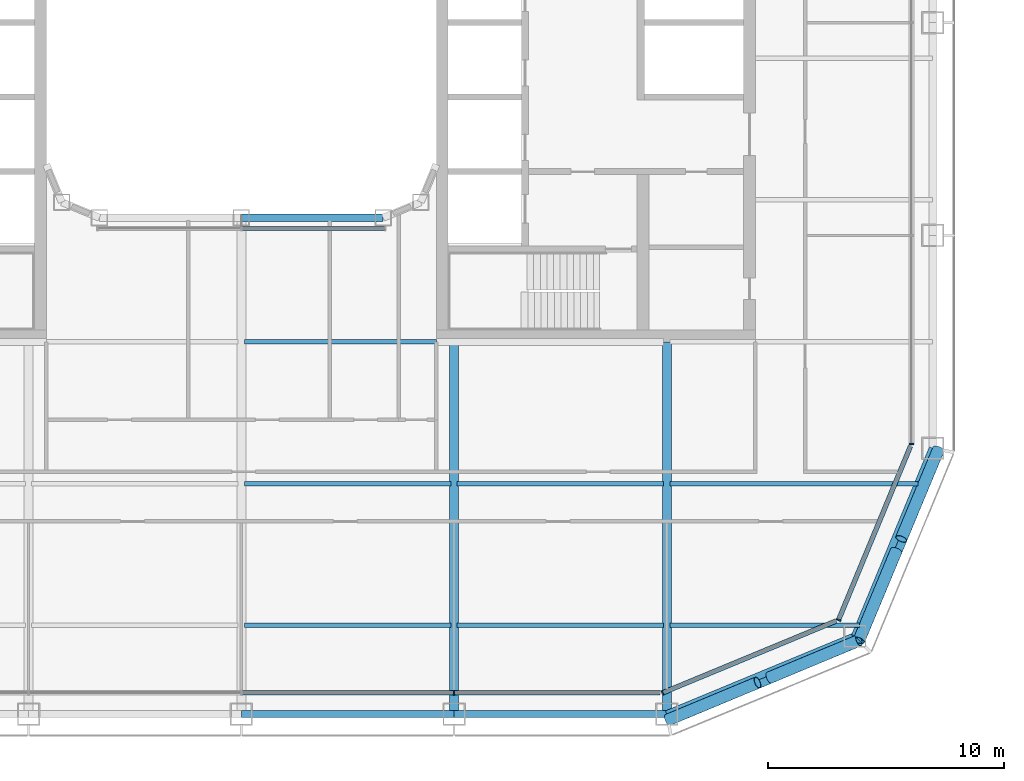
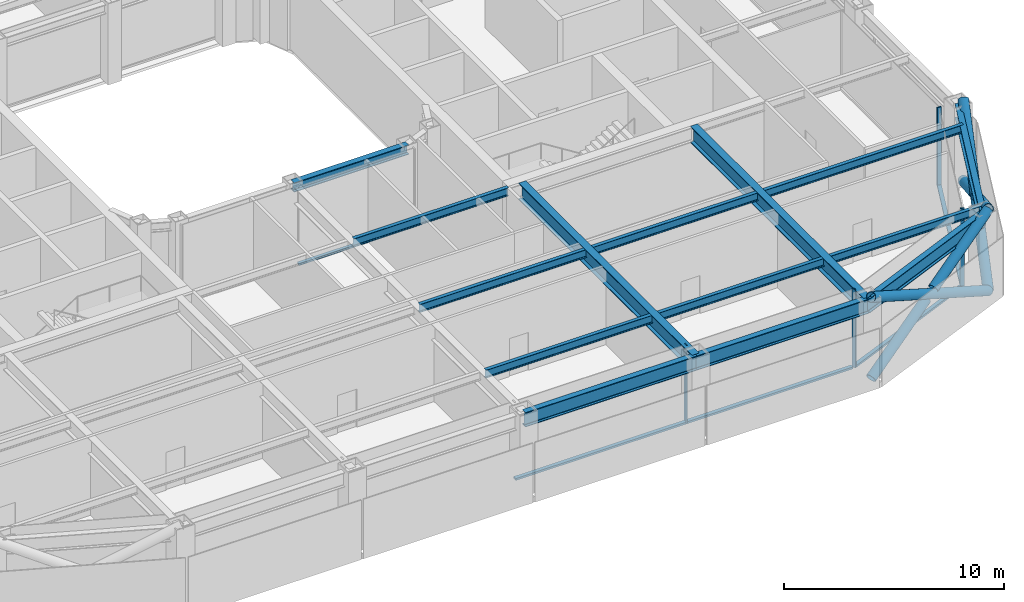
# One storey, part 4 of 23: 15 members, 14 beams, 5 elements without a shape of their own.
"""IFC4 building model written with IfcOpenShell, lengths in metres."""

from ifc_helpers import new_model, si_unit, direction, frame, origin, origin_2d, place, context, subcontext, project, spatial, rectangle, hollow_circle, i_section, extrude, material, layer, layer_set, material_profile, profile_set, type_object, element, aggregate, save


model = new_model("IFC4")

# Units and contexts
model_context = context("Model", 3, precision=1e-05, world=origin(), true_north=direction((0.0, 1.0)))
body_context = subcontext(model_context, "Body", "Model", "MODEL_VIEW")
ifc_project = project(units=[si_unit("LENGTHUNIT", "METRE"), si_unit("AREAUNIT", "SQUARE_METRE"), si_unit("VOLUMEUNIT", "CUBIC_METRE"), si_unit("PLANEANGLEUNIT", "RADIAN"), si_unit("MASSUNIT", "GRAM", prefix="KILO")], contexts=[model_context])

# Site, building, storey
site_placement = place(None, origin())
site = spatial("IfcSite", under=ifc_project, at=site_placement, CompositionType="ELEMENT")
building_placement = place(site_placement, origin())
building = spatial("IfcBuilding", under=site, at=building_placement, Name="Siwar Civic Tower", CompositionType="ELEMENT")
storey_placement = place(building_placement, frame((0.0, 0.0, 131.699951171875)))
storey = spatial("IfcBuildingStorey", under=building, at=storey_placement, Name="L28", CompositionType="ELEMENT", Elevation=131.699951171875)

# Curtain wall, member
ifc_material_1 = material(Name="Aluminium and glass", Category="aluminium")
ifc_layer_1 = layer(ifc_material_1, 0.199951171875)
ifc_layer_set_1 = layer_set([ifc_layer_1], Name="Aluminium and glass")
curtain_wall_type_1 = type_object("IfcCurtainWallType", Name="ENV-CW-B", PredefinedType="NOTDEFINED", material=ifc_layer_set_1)
curtain_wall_1_placement = place(storey_placement, origin())
curtain_wall_1 = element("IfcCurtainWall", 1, at=curtain_wall_1_placement, inside=storey, type_object=curtain_wall_type_1, Name="Curtain wall B S", PredefinedType="NOTDEFINED")
ifc_material_2 = material(Name="Aluminium 6063-T6", Category="aluminium")
ifc_material_profile_1 = material_profile(ifc_material_2, rectangle(XDim=0.199951171875, YDim=0.06494140625, at=origin_2d()), Name="AL 200x65")
ifc_profile_set_1 = profile_set([ifc_material_profile_1], Name="Aluminium 6063-T6")
member_type_1 = type_object("IfcMemberType", Name="ENV-MULLION-B", PredefinedType="MULLION", material=ifc_profile_set_1)
member_1_placement = place(storey_placement, frame((9.0, -28.35009765625, 0.0), z_axis=(0.0, 0.0, 1.0), x_axis=(0.0, 1.0, 0.0)))
member_1 = element("IfcMember", 2, at=member_1_placement, type_object=member_type_1, Name="Mullion B S 4", PredefinedType="MULLION", context=body_context, shape_type="SweptSolid", body=[
    extrude(rectangle(XDim=0.199951171875, YDim=0.06494140625, at=origin_2d()), origin(), (0.0, 0.0, 1.0), 4.35009765625),
])

ifc_material_3 = material(Name="Aluminium clad insulated panel", Category="aluminium")
ifc_layer_2 = layer(ifc_material_3, 0.199951171875)
ifc_layer_set_2 = layer_set([ifc_layer_2], Name="Aluminium clad insulated panel")
curtain_wall_type_2 = type_object("IfcCurtainWallType", Name="ENV-CW-BX", PredefinedType="NOTDEFINED", material=ifc_layer_set_2)
curtain_wall_2_placement = place(storey_placement, origin())
curtain_wall_2 = element("IfcCurtainWall", 3, at=curtain_wall_2_placement, inside=storey, type_object=curtain_wall_type_2, Name="Curtain wall B SE1", PredefinedType="NOTDEFINED")
member_2_placement = place(storey_placement, frame((17.821044921875, -28.35009765625, 0.0), z_axis=(0.0, 0.0, 1.0), x_axis=(-0.382683432365, 0.923879532511, 0.0)))
member_2 = element("IfcMember", 4, at=member_2_placement, type_object=member_type_1, Name="Mullion B SE1 1", PredefinedType="MULLION", context=body_context, shape_type="SweptSolid", body=[
    extrude(rectangle(XDim=0.199951171875, YDim=0.06494140625, at=origin_2d()), origin(), (0.0, 0.0, 1.0), 4.35009765625),
])

curtain_wall_3_placement = place(storey_placement, origin())
curtain_wall_3 = element("IfcCurtainWall", 5, at=curtain_wall_3_placement, inside=storey, type_object=curtain_wall_type_2, Name="Curtain wall B SE2", PredefinedType="NOTDEFINED")
member_3_placement = place(storey_placement, frame((25.26611328125, -25.26611328125, 0.0), z_axis=(0.0, 0.0, 1.0), x_axis=(-0.923879532511, 0.382683432365, 0.0)))
member_3 = element("IfcMember", 6, at=member_3_placement, type_object=member_type_1, Name="Mullion B SE2 1", PredefinedType="MULLION", context=body_context, shape_type="SweptSolid", body=[
    extrude(rectangle(XDim=0.199951171875, YDim=0.06494140625, at=origin_2d()), origin(), (0.0, 0.0, 1.0), 4.35009765625),
])

curtain_wall_4_placement = place(storey_placement, origin())
curtain_wall_4 = element("IfcCurtainWall", 7, at=curtain_wall_4_placement, inside=storey, type_object=curtain_wall_type_1, Name="Curtain wall B E", PredefinedType="NOTDEFINED")
member_4_placement = place(storey_placement, frame((28.35009765625, -17.821044921875, 0.0), z_axis=(0.0, 0.0, 1.0), x_axis=(-1.0, 0.0, 0.0)))
member_4 = element("IfcMember", 8, at=member_4_placement, type_object=member_type_1, Name="Mullion B E 1", PredefinedType="MULLION", context=body_context, shape_type="SweptSolid", body=[
    extrude(rectangle(XDim=0.199951171875, YDim=0.06494140625, at=origin_2d()), origin(), (0.0, 0.0, 1.0), 4.35009765625),
])
aggregate(curtain_wall_4, [member_4])

# Member
ifc_material_4 = material(Name="Aluminium 6063-T6", Category="aluminium")
ifc_material_profile_2 = material_profile(ifc_material_4, rectangle(XDim=0.199951171875, YDim=0.110107421875, at=origin_2d()), Name="AL 200x110")
ifc_profile_set_2 = profile_set([ifc_material_profile_2], Name="Aluminium 6063-T6")
member_type_2 = type_object("IfcMemberType", Name="ENV-TRANSOM-B", PredefinedType="USERDEFINED", material=ifc_profile_set_2)
member_5_placement = place(storey_placement, frame((0.032470703125, -28.35009765625, 0.054931640625), z_axis=(1.0, 0.0, 0.0), x_axis=(0.0, 1.0, 0.0)))
member_5 = element("IfcMember", 9, at=member_5_placement, type_object=member_type_2, Name="Transom B S 3", ObjectType="TRANSOM", PredefinedType="USERDEFINED", context=body_context, shape_type="SweptSolid", body=[
    extrude(rectangle(XDim=0.199951171875, YDim=0.110107421875, at=origin_2d()), origin(), (0.0, 0.0, 1.0), 8.93505859375),
])

member_6_placement = place(storey_placement, frame((9.032470703125, -28.35009765625, 0.054931640625), z_axis=(1.0, 0.0, 0.0), x_axis=(0.0, 1.0, 0.0)))
member_6 = element("IfcMember", 10, at=member_6_placement, type_object=member_type_2, Name="Transom B S 4", ObjectType="TRANSOM", PredefinedType="USERDEFINED", context=body_context, shape_type="SweptSolid", body=[
    extrude(rectangle(XDim=0.199951171875, YDim=0.110107421875, at=origin_2d()), origin(), (0.0, 0.0, 1.0), 8.6748046875),
])

aggregate(curtain_wall_1, [member_1, member_5, member_6])

member_7_placement = place(storey_placement, frame((17.85107421875, -28.337646484375, 0.054931640625), z_axis=(0.92387279587, 0.382699695651, 0.0), x_axis=(-0.382699695651, 0.92387279587, 0.0)))
member_7 = element("IfcMember", 11, at=member_7_placement, type_object=member_type_2, Name="Transom B SE1 1", ObjectType="TRANSOM", PredefinedType="USERDEFINED", context=body_context, shape_type="SweptSolid", body=[
    extrude(rectangle(XDim=0.199951171875, YDim=0.110107421875, at=origin_2d()), origin(), (0.0, 0.0, 1.0), 7.912353515625),
])

aggregate(curtain_wall_2, [member_2, member_7])

member_8_placement = place(storey_placement, frame((25.278564453125, -25.236083984375, 0.054931640625), z_axis=(0.382673358825, 0.923883705044, 0.0), x_axis=(-0.923883705044, 0.382673358825, 0.0)))
member_8 = element("IfcMember", 12, at=member_8_placement, type_object=member_type_2, Name="Transom B SE2 1", ObjectType="TRANSOM", PredefinedType="USERDEFINED", context=body_context, shape_type="SweptSolid", body=[
    extrude(rectangle(XDim=0.199951171875, YDim=0.110107421875, at=origin_2d()), origin(), (0.0, 0.0, 1.0), 7.912353515625),
])

aggregate(curtain_wall_3, [member_3, member_8])

# Curtain wall, member
ifc_material_5 = material(Name="Aluminium and glass", Category="aluminium")
ifc_layer_3 = layer(ifc_material_5, 0.179931640625)
ifc_layer_set_3 = layer_set([ifc_layer_3], Name="Aluminium and glass")
curtain_wall_type_3 = type_object("IfcCurtainWallType", Name="ENV-CW-W", PredefinedType="NOTDEFINED", material=ifc_layer_set_3)
curtain_wall_5_placement = place(storey_placement, origin())
curtain_wall_5 = element("IfcCurtainWall", 13, at=curtain_wall_5_placement, inside=storey, type_object=curtain_wall_type_3, Name="Curtain wall W WS", PredefinedType="NOTDEFINED")
ifc_material_6 = material(Name="Aluminium 6063-T6", Category="aluminium")
ifc_material_profile_3 = material_profile(ifc_material_6, rectangle(XDim=0.179931640625, YDim=0.10009765625, at=origin_2d()), Name="AL 180x100")
ifc_profile_set_3 = profile_set([ifc_material_profile_3], Name="Aluminium 6063-T6")
member_type_3 = type_object("IfcMemberType", Name="ENV-TRANSOM-W", PredefinedType="USERDEFINED", material=ifc_profile_set_3)
member_9_placement = place(storey_placement, frame((0.030029296875, -8.7099609375, 0.050048828125), z_axis=(1.0, 0.0, 0.0), x_axis=(0.0, 1.0, 0.0)))
member_9 = element("IfcMember", 14, at=member_9_placement, type_object=member_type_3, Name="Transom W WS 2", ObjectType="TRANSOM", PredefinedType="USERDEFINED", context=body_context, shape_type="SweptSolid", body=[
    extrude(rectangle(XDim=0.179931640625, YDim=0.10009765625, at=origin_2d()), origin(), (0.0, 0.0, 1.0), 6.031494140625),
])
aggregate(curtain_wall_5, [member_9])

# Members
ifc_material_7 = material(Name="Steel S355", Category="steel")
ifc_material_profile_4 = material_profile(ifc_material_7, hollow_circle(Radius=0.25390625, WallThickness=0.02490234375, at=origin_2d()), Name="CHS508x25")
ifc_profile_set_4 = profile_set([ifc_material_profile_4], Name="Steel S355")
member_type_4 = type_object("IfcMemberType", Name="STR-BR-CHS508x25", PredefinedType="BRACE", material=ifc_profile_set_4)
member_10_placement = place(storey_placement, frame((26.1318359375, -26.1318359375, 0.0), z_axis=(0.341671493852, 0.821142553604, 0.457149315816), x_axis=(-0.923264922524, 0.384163874976, 0.0)))
element("IfcMember", 15, at=member_10_placement, inside=storey, type_object=member_type_4, Name="L28/brc/BSE1-7-0-1", PredefinedType="BRACE", context=body_context, shape_type="SweptSolid", body=[
    extrude(hollow_circle(Radius=0.25390625, WallThickness=0.02490234375, at=origin_2d()), origin(), (0.0, 0.0, 1.0), 9.843505859375),
])
for number, where, z_axis, x_axis, name in (
    (16, (29.4951171875, -18.048828125, 0.0), (-0.341677318012, -0.821126041429, 0.457174621391), (0.923259859753, -0.384176042158, 0.0), "L28/brc/BSE1-7-0-2"),
    (17, (27.70849609375, -22.342529296875, 2.390625), (-0.341670737976, -0.821163134736, 0.457112910516), (0.923268638995, -0.384154943021, 0.0), "L28/brc/BSE1-7-0-3"),
):
    element("IfcMember", number, at=place(storey_placement, frame(where, z_axis=z_axis, x_axis=x_axis)), inside=storey, type_object=member_type_4, Name=name, PredefinedType="BRACE", context=body_context, shape_type="SweptSolid", body=[
        extrude(hollow_circle(Radius=0.25390625, WallThickness=0.02490234375, at=origin_2d()), origin(), (0.0, 0.0, 1.0), 4.614501953125),
    ])
member_11_placement = place(storey_placement, frame((26.1318359375, -26.1318359375, 0.0), z_axis=(-0.821142553604, -0.341671493852, 0.457149315816), x_axis=(0.384163874976, -0.923264922524, 0.0)))
element("IfcMember", 18, at=member_11_placement, inside=storey, type_object=member_type_4, Name="L28/brc/BSE1-7-0-0", PredefinedType="BRACE", context=body_context, shape_type="SweptSolid", body=[
    extrude(hollow_circle(Radius=0.25390625, WallThickness=0.02490234375, at=origin_2d()), origin(), (0.0, 0.0, 1.0), 9.843505859375),
])
for number, where, z_axis, x_axis, name in (
    (19, (18.048828125, -29.4951171875, 0.0), (0.821126041429, 0.341677318012, 0.457174621391), (-0.384176042158, 0.923259859753, 0.0), "L28/brc/BSE1-7-0-4"),
    (20, (22.342529296875, -27.70849609375, 2.390625), (0.821163134736, 0.341670737976, 0.457112910516), (-0.384154943021, 0.923268638995, 0.0), "L28/brc/BSE1-7-0-5"),
):
    element("IfcMember", number, at=place(storey_placement, frame(where, z_axis=z_axis, x_axis=x_axis)), inside=storey, type_object=member_type_4, Name=name, PredefinedType="BRACE", context=body_context, shape_type="SweptSolid", body=[
        extrude(hollow_circle(Radius=0.25390625, WallThickness=0.02490234375, at=origin_2d()), origin(), (0.0, 0.0, 1.0), 4.614501953125),
    ])

# Beams
ifc_material_8 = material(Name="Steel S355", Category="steel")
ifc_material_profile_5 = material_profile(ifc_material_8, i_section(OverallWidth=0.18994140625, OverallDepth=0.449951171875, WebThickness=0.009521484375, FlangeThickness=0.0146484375, FilletRadius=0.02099609375, at=origin_2d()), Name="IPE450")
ifc_profile_set_5 = profile_set([ifc_material_profile_5], Name="Steel S355")
beam_type_1 = type_object("IfcBeamType", Name="STR-FB-IPE450", PredefinedType="JOIST", material=ifc_profile_set_5)
for number, where, z_axis, x_axis, name in (
    (21, (0.1298828125, -25.5, 4.125), (1.0, 0.0, 0.0), (0.0, 1.0, 0.0), "L28/bm/F004"),
    (22, (9.1298828125, -25.5, 4.125), (1.0, 0.0, 0.0), (0.0, 1.0, 0.0), "L28/bm/F005"),
):
    element("IfcBeam", number, at=place(storey_placement, frame(where, z_axis=z_axis, x_axis=x_axis)), inside=storey, type_object=beam_type_1, Name=name, PredefinedType="JOIST", context=body_context, shape_type="SweptSolid", body=[
        extrude(i_section(OverallWidth=0.18994140625, OverallDepth=0.449951171875, WebThickness=0.009521484375, FlangeThickness=0.0146484375, FilletRadius=0.02099609375, at=origin_2d()), origin(), (0.0, 0.0, 1.0), 8.740234375),
    ])
beam_1_placement = place(storey_placement, frame((18.1298828125, -25.5, 4.125), z_axis=(1.0, 0.0, 0.0), x_axis=(0.0, 1.0, 0.0)))
element("IfcBeam", 23, at=beam_1_placement, inside=storey, type_object=beam_type_1, Name="L28/bm/F006", PredefinedType="JOIST", context=body_context, shape_type="SweptSolid", body=[
    extrude(i_section(OverallWidth=0.18994140625, OverallDepth=0.449951171875, WebThickness=0.009521484375, FlangeThickness=0.0146484375, FilletRadius=0.02099609375, at=origin_2d()), origin(), (0.0, 0.0, 1.0), 8.013427734375),
])
for number, where, z_axis, x_axis, name in (
    (24, (0.1298828125, -19.5, 4.125), (1.0, 0.0, 0.0), (0.0, 1.0, 0.0), "L28/bm/F010"),
    (25, (9.1298828125, -19.5, 4.125), (1.0, 0.0, 0.0), (0.0, 1.0, 0.0), "L28/bm/F011"),
):
    element("IfcBeam", number, at=place(storey_placement, frame(where, z_axis=z_axis, x_axis=x_axis)), inside=storey, type_object=beam_type_1, Name=name, PredefinedType="JOIST", context=body_context, shape_type="SweptSolid", body=[
        extrude(i_section(OverallWidth=0.18994140625, OverallDepth=0.449951171875, WebThickness=0.009521484375, FlangeThickness=0.0146484375, FilletRadius=0.02099609375, at=origin_2d()), origin(), (0.0, 0.0, 1.0), 8.740234375),
    ])
beam_2_placement = place(storey_placement, frame((18.1298828125, -19.5, 4.125), z_axis=(1.0, 0.0, 0.0), x_axis=(0.0, 1.0, 0.0)))
element("IfcBeam", 26, at=beam_2_placement, inside=storey, type_object=beam_type_1, Name="L28/bm/F012", PredefinedType="JOIST", context=body_context, shape_type="SweptSolid", body=[
    extrude(i_section(OverallWidth=0.18994140625, OverallDepth=0.449951171875, WebThickness=0.009521484375, FlangeThickness=0.0146484375, FilletRadius=0.02099609375, at=origin_2d()), origin(), (0.0, 0.0, 1.0), 10.498779296875),
])
beam_3_placement = place(storey_placement, frame((0.1298828125, -13.5, 4.125), z_axis=(1.0, 0.0, 0.0), x_axis=(0.0, 1.0, 0.0)))
element("IfcBeam", 27, at=beam_3_placement, inside=storey, type_object=beam_type_1, Name="L28/bm/F017", PredefinedType="JOIST", context=body_context, shape_type="SweptSolid", body=[
    extrude(i_section(OverallWidth=0.18994140625, OverallDepth=0.449951171875, WebThickness=0.009521484375, FlangeThickness=0.0146484375, FilletRadius=0.02099609375, at=origin_2d()), origin(), (0.0, 0.0, 1.0), 8.1201171875),
])
ifc_material_9 = material(Name="Steel S355", Category="steel")
ifc_material_profile_6 = material_profile(ifc_material_9, i_section(OverallWidth=0.3798828125, OverallDepth=0.89990234375, WebThickness=0.01611328125, FlangeThickness=0.035888671875, at=origin_2d()), Name="PG900x380x16x36")
ifc_profile_set_6 = profile_set([ifc_material_profile_6], Name="Steel S355")
beam_type_2 = type_object("IfcBeamType", Name="STR-PG-PG900x380x16x36", PredefinedType="BEAM", material=ifc_profile_set_6)
for number, where, z_axis, x_axis, name in (
    (28, (9.0, -29.25, 3.900146484375), (0.0, 1.0, 0.0), (-1.0, 0.0, 0.0), "L28/bm/G07"),
    (29, (18.0, -29.25, 3.900146484375), (0.0, 1.0, 0.0), (-1.0, 0.0, 0.0), "L28/bm/G09"),
):
    element("IfcBeam", number, at=place(storey_placement, frame(where, z_axis=z_axis, x_axis=x_axis)), inside=storey, type_object=beam_type_2, Name=name, PredefinedType="BEAM", context=body_context, shape_type="SweptSolid", body=[
        extrude(i_section(OverallWidth=0.3798828125, OverallDepth=0.89990234375, WebThickness=0.01611328125, FlangeThickness=0.035888671875, at=origin_2d()), origin(), (0.0, 0.0, 1.0), 15.75),
    ])
ifc_material_10 = material(Name="Steel S355", Category="steel")
ifc_material_profile_7 = material_profile(ifc_material_10, i_section(OverallWidth=0.305908203125, OverallDepth=0.52392578125, WebThickness=0.02099609375, FlangeThickness=0.0400390625, FilletRadius=0.027099609375, at=origin_2d()), Name="HEM500")
ifc_profile_set_7 = profile_set([ifc_material_profile_7], Name="Steel S355")
beam_type_3 = type_object("IfcBeamType", Name="STR-RB-HEM500", PredefinedType="BEAM", material=ifc_profile_set_7)
beam_4_placement = place(storey_placement, frame((0.0, -8.25, 4.088134765625), z_axis=(1.0, 0.0, 0.0), x_axis=(0.0, 1.0, 0.0)))
element("IfcBeam", 30, at=beam_4_placement, inside=storey, type_object=beam_type_3, Name="L28/bm/RS2", PredefinedType="BEAM", context=body_context, shape_type="SweptSolid", body=[
    extrude(i_section(OverallWidth=0.305908203125, OverallDepth=0.52392578125, WebThickness=0.02099609375, FlangeThickness=0.0400390625, FilletRadius=0.027099609375, at=origin_2d()), origin(), (0.0, 0.0, 1.0), 6.0),
])
ifc_material_11 = material(Name="Steel S355", Category="steel")
ifc_material_profile_8 = material_profile(ifc_material_11, i_section(OverallWidth=0.300048828125, OverallDepth=0.800048828125, WebThickness=0.017578125, FlangeThickness=0.032958984375, FilletRadius=0.030029296875, at=origin_2d()), Name="HEB800")
ifc_profile_set_8 = profile_set([ifc_material_profile_8], Name="Steel S355")
beam_type_4 = type_object("IfcBeamType", Name="STR-SB-HEB800", PredefinedType="BEAM", material=ifc_profile_set_8)
for number, where, z_axis, x_axis, name in (
    (31, (0.0, -29.25, 3.949951171875), (1.0, 0.0, 0.0), (0.0, 1.0, 0.0), "L28/bm/SS-2"),
    (32, (9.0, -29.25, 3.949951171875), (1.0, 0.0, 0.0), (0.0, 1.0, 0.0), "L28/bm/SS-3"),
):
    element("IfcBeam", number, at=place(storey_placement, frame(where, z_axis=z_axis, x_axis=x_axis)), inside=storey, type_object=beam_type_4, Name=name, PredefinedType="BEAM", context=body_context, shape_type="SweptSolid", body=[
        extrude(i_section(OverallWidth=0.300048828125, OverallDepth=0.800048828125, WebThickness=0.017578125, FlangeThickness=0.032958984375, FilletRadius=0.030029296875, at=origin_2d()), origin(), (0.0, 0.0, 1.0), 9.0),
    ])
for number, where, z_axis, x_axis, name in (
    (33, (18.0, -29.25, 3.949951171875), (0.923872720536, 0.382699877515, 0.0), (-0.382699877515, 0.923872720536, 0.0), "L28/bm/SSE1-0"),
    (34, (25.954833984375, -25.954833984375, 3.949951171875), (0.382699877515, 0.923872720536, 0.0), (-0.923872720536, 0.382699877515, 0.0), "L28/bm/SSE2-0"),
):
    element("IfcBeam", number, at=place(storey_placement, frame(where, z_axis=z_axis, x_axis=x_axis)), inside=storey, type_object=beam_type_4, Name=name, PredefinedType="BEAM", context=body_context, shape_type="SweptSolid", body=[
        extrude(i_section(OverallWidth=0.300048828125, OverallDepth=0.800048828125, WebThickness=0.017578125, FlangeThickness=0.032958984375, FilletRadius=0.030029296875, at=origin_2d()), origin(), (0.0, 0.0, 1.0), 8.6103515625),
    ])

save(model, "model.ifc")
